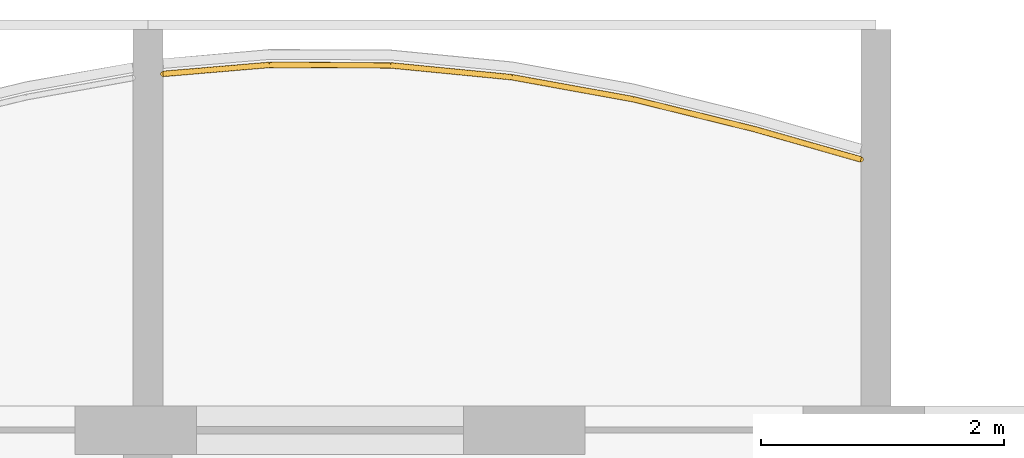
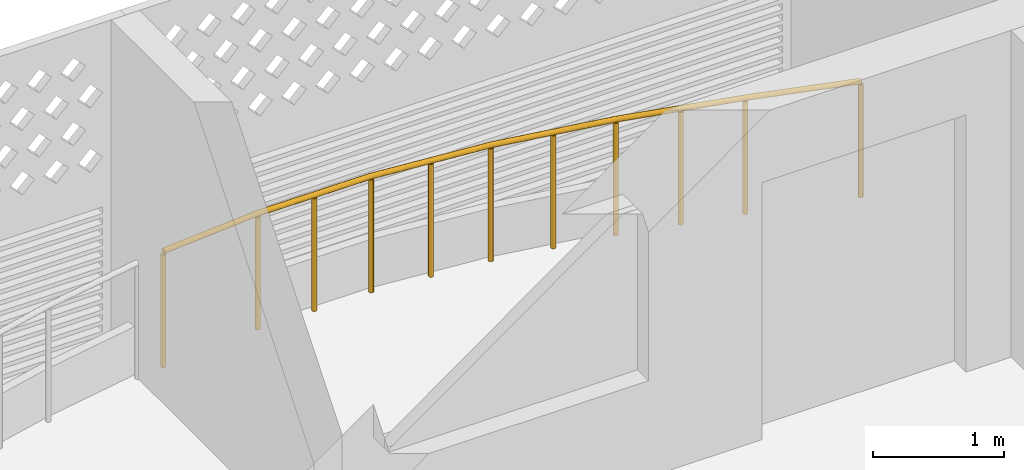
# One storey, part 23 of 39: 1 railing.
"""IFC4 building model written with IfcOpenShell, lengths in metres."""

import ifcopenshell
import ifcopenshell.guid

model = None  # the IFC model being written
_history = None  # IfcOwnerHistory: only IFC2X3 demands one
_inside = {}  # id of a spatial element -> (the spatial element, [elements in it])
_under = {}  # id of a project, library or spatial element -> (it, [spatial elements below it])
_declared = {}  # id of a project -> (the project, [libraries it declares])
_typed = {}  # id of a type object -> (the type object, [elements of that type])
_made_of = {}  # id of a material, layer set ... -> (it, [elements and type objects made of it])


def new_model(schema):
    """Start an empty IFC model of exactly this schema.

    Asked for "IFC4X3", IfcOpenShell would pick the latest addendum, in which some entities
    have other attributes; the version numbers below select the first issue.
    IFC2X3 requires an IfcOwnerHistory on every rooted entity: one is made here for all.
    """
    global model, _history
    if schema == "IFC4X3":
        model = ifcopenshell.file(schema_version=(4, 3, 0, 0))
    else:
        model = ifcopenshell.file(schema=schema)
    _inside.clear()
    _under.clear()
    _declared.clear()
    _typed.clear()
    _made_of.clear()
    _history = None
    if model.schema == "IFC2X3":
        org = make("IfcOrganization", Name="unknown")
        user = make(
            "IfcPersonAndOrganization",
            ThePerson=make("IfcPerson", FamilyName="unknown"),
            TheOrganization=org,
        )
        app = make(
            "IfcApplication",
            ApplicationDeveloper=org,
            Version="unknown",
            ApplicationFullName="unknown",
            ApplicationIdentifier="unknown",
        )
        _history = make(
            "IfcOwnerHistory",
            OwningUser=user,
            OwningApplication=app,
            ChangeAction="ADDED",
            CreationDate=0,
        )
    return model


def make(cls, **values):
    """One entity of the class cls with the attributes given. An attribute that is None is left unset."""
    return model.create_entity(
        cls, **{name: value for name, value in values.items() if value is not None}
    )


def rooted(cls, **values):
    """An entity with a GlobalId (a new one), such as an element, a storey or a relation."""
    return make(cls, GlobalId=ifcopenshell.guid.new(), OwnerHistory=_history, **values)


def si_unit(unit_type, name, prefix=None):
    """IfcSIUnit, for example si_unit("LENGTHUNIT", "METRE", prefix="MILLI")."""
    return make("IfcSIUnit", UnitType=unit_type, Prefix=prefix, Name=name)


def assignment(units):
    """IfcUnitAssignment: the units of a project."""
    return None if units is None else make("IfcUnitAssignment", Units=units)


def point(xyz):
    """IfcCartesianPoint."""
    return None if xyz is None else make("IfcCartesianPoint", Coordinates=xyz)


def direction(xyz):
    """IfcDirection."""
    return None if xyz is None else make("IfcDirection", DirectionRatios=xyz)


def frame(location, z_axis=None, x_axis=None):
    """IfcAxis2Placement3D, a coordinate frame: its origin and axes. An axis left out is left unset."""
    return make(
        "IfcAxis2Placement3D",
        Location=point(location),
        Axis=direction(z_axis),
        RefDirection=direction(x_axis),
    )


def frame_2d(location, x_axis=None):
    """IfcAxis2Placement2D, a coordinate frame in the plane: its origin and x axis."""
    return make(
        "IfcAxis2Placement2D", Location=point(location), RefDirection=direction(x_axis)
    )


def origin():
    """The frame at (0, 0, 0) with its axes left unset."""
    return frame((0.0, 0.0, 0.0))


def origin_2d():
    """The frame at (0, 0) in the plane with its x axis left unset."""
    return frame_2d((0.0, 0.0))


def place(relative_to, where):
    """IfcLocalPlacement: puts the frame where relative to a parent placement (None: the world)."""
    return make(
        "IfcLocalPlacement", PlacementRelTo=relative_to, RelativePlacement=where
    )


def context(
    kind, dimensions, precision=None, world=None, true_north=None, identifier=None
):
    """IfcGeometricRepresentationContext, for example the 3D "Model" context."""
    return make(
        "IfcGeometricRepresentationContext",
        ContextIdentifier=identifier,
        ContextType=kind,
        CoordinateSpaceDimension=dimensions,
        Precision=precision,
        WorldCoordinateSystem=world,
        TrueNorth=true_north,
    )


def subcontext(parent, identifier, kind, view, scale=None):
    """IfcGeometricRepresentationSubContext, for example "Body" below "Model"."""
    return make(
        "IfcGeometricRepresentationSubContext",
        ContextIdentifier=identifier,
        ContextType=kind,
        ParentContext=parent,
        TargetScale=scale,
        TargetView=view,
    )


def project(units=None, contexts=None):
    """IfcProject with its units and contexts."""
    return rooted(
        "IfcProject",
        Name="project",
        RepresentationContexts=contexts,
        UnitsInContext=assignment(units),
    )


def spatial(cls, under=None, at=None, **own):
    """A site, building, storey or space (cls), placed at a placement, below another one or the project."""
    s = rooted(cls, ObjectPlacement=at, **own)
    if under is not None:
        _under.setdefault(under.id(), (under, []))[1].append(s)
    return s


def profile(cls, at=None, kind="AREA", **sizes):
    """A parametric profile (cls). Its sizes go by their IFC names, for example OverallWidth=200.0."""
    return make(cls, ProfileType=kind, Position=at, **sizes)


def circle(**sizes):
    """IfcCircleProfileDef."""
    return profile("IfcCircleProfileDef", **sizes)


def extrude(swept, where, along, depth):
    """IfcExtrudedAreaSolid: the profile swept, set in the frame where, extruded along a direction by depth."""
    return make(
        "IfcExtrudedAreaSolid",
        SweptArea=swept,
        Position=where,
        ExtrudedDirection=direction(along),
        Depth=depth,
    )


def shape(context_of_items, identifier, shape_type, items):
    """IfcShapeRepresentation: the items that make up one representation, for example the "Body"."""
    return make(
        "IfcShapeRepresentation",
        ContextOfItems=context_of_items,
        RepresentationIdentifier=identifier,
        RepresentationType=shape_type,
        Items=items,
    )


def material(Name=None, Category=None):
    """IfcMaterial."""
    return make("IfcMaterial", Name=Name, Category=Category)


def made_of(thing, what):
    """Note that an element or type object is made of a material, layer set ...; save() writes the relation."""
    if what is not None:
        _made_of.setdefault(what.id(), (what, []))[1].append(thing)
    return thing


def type_object(cls, material=None, **own):
    """A type object (cls), such as IfcWallType, which elements share."""
    return made_of(rooted(cls, **own), material)


def element(
    cls,
    number,
    at=None,
    inside=None,
    cuts=None,
    type_object=None,
    material=None,
    context=None,
    identifier="Body",
    shape_type=None,
    held_by="IfcProductDefinitionShape",
    body=None,
    shapes=None,
    **own,
):
    """One element of the class cls, such as IfcWall. Its Tag is "e" and its number.

    at: its placement. inside: the storey or other place that contains it. cuts: it is an
    opening in that element (IfcRelVoidsElement). A single representation is given by context,
    identifier, shape_type and body (its items); several are given by shapes. held_by: the class
    of the entity that holds the representations. save() writes the other relations.
    """
    e = rooted(cls, Tag="e%d" % number, ObjectPlacement=at, **own)
    if body is not None:
        shapes = [shape(context, identifier, shape_type, body)]
    if shapes is not None:
        e.Representation = make(held_by, Representations=shapes)
    if inside is not None:
        _inside.setdefault(inside.id(), (inside, []))[1].append(e)
    if cuts is not None:
        rooted(
            "IfcRelVoidsElement", RelatingBuildingElement=cuts, RelatedOpeningElement=e
        )
    if type_object is not None:
        _typed.setdefault(type_object.id(), (type_object, []))[1].append(e)
    return made_of(e, material)


def aggregate(whole, parts):
    """IfcRelAggregates: a whole, such as a stair, and the parts it consists of."""
    return rooted("IfcRelAggregates", RelatingObject=whole, RelatedObjects=parts)


def save(model, path):
    """Write the relations noted so far, then the file.

    IfcRelAggregates (storeys below a building ...), IfcRelContainedInSpatialStructure (elements
    in a storey), IfcRelDefinesByType, IfcRelAssociatesMaterial and IfcRelDeclares: one each for
    every whole, place, type object, material and project.
    """
    for whole, parts in _under.values():
        aggregate(whole, parts)
    for where, things in _inside.values():
        rooted(
            "IfcRelContainedInSpatialStructure",
            RelatedElements=things,
            RelatingStructure=where,
        )
    for kind, things in _typed.values():
        rooted("IfcRelDefinesByType", RelatedObjects=things, RelatingType=kind)
    for what, things in _made_of.values():
        rooted("IfcRelAssociatesMaterial", RelatedObjects=things, RelatingMaterial=what)
    for by, libraries in _declared.values():
        rooted("IfcRelDeclares", RelatingContext=by, RelatedDefinitions=libraries)
    model.write(path)


model = new_model("IFC4")

# Units and contexts
model_context = context("Model", 3, precision=1e-05, world=origin(), true_north=direction((0.0, 1.0)))
body_context = subcontext(model_context, "Body", "Model", "MODEL_VIEW")
ifc_project = project(units=[si_unit("LENGTHUNIT", "METRE"), si_unit("AREAUNIT", "SQUARE_METRE"), si_unit("VOLUMEUNIT", "CUBIC_METRE"), si_unit("PLANEANGLEUNIT", "RADIAN"), si_unit("MASSUNIT", "GRAM", prefix="KILO")], contexts=[model_context])

# Site, building, storey
site_placement = place(None, origin())
site = spatial("IfcSite", under=ifc_project, at=site_placement, CompositionType="ELEMENT")
building_placement = place(site_placement, origin())
building = spatial("IfcBuilding", under=site, at=building_placement, Name="Poui Terraces", CompositionType="ELEMENT")
storey_placement = place(building_placement, frame((0.0, 0.0, 56.39990234375)))
storey = spatial("IfcBuildingStorey", under=building, at=storey_placement, Name="L15", CompositionType="ELEMENT", Elevation=56.39990234375)

# Railing
ifc_material = material(Name="Painted steel fretwork", Category="steel")
railing_type = type_object("IfcRailingType", Name="BALCONY GUARD 1100", PredefinedType="GUARDRAIL", material=ifc_material)
railing_placement = place(storey_placement, frame((24.125, 47.73583984375, 0.0)))
element("IfcRailing", 1, at=railing_placement, inside=storey, type_object=railing_type, Name="BALCONY GUARD", PredefinedType="GUARDRAIL", context=body_context, shape_type="SweptSolid", body=[
    extrude(circle(Radius=0.02392578125, at=origin_2d()), frame((0.0, 0.0, 1.076171875), z_axis=(0.996445334102, 0.08424189069, 0.0), x_axis=(-0.08424189069, 0.996445334102, 0.0)), (0.0, 0.0, 1.0), 0.878173828125),
    extrude(circle(Radius=0.02392578125, at=origin_2d()), frame((0.875, 0.073974609375, 1.076171875), z_axis=(0.999992370693, -0.003906220198, 0.0), x_axis=(0.003906220198, 0.999992370693, 0.0)), (0.0, 0.0, 1.0), 1.0),
    extrude(circle(Radius=0.02392578125, at=origin_2d()), frame((1.875, 0.070068359375, 1.076171875), z_axis=(0.995265465661, -0.097193893131, 0.0), x_axis=(0.097193893131, 0.995265465661, 0.0)), (0.0, 0.0, 1.0), 1.004638671875),
    extrude(circle(Radius=0.02392578125, at=origin_2d()), frame((2.875, -0.027587890625, 1.076171875), z_axis=(0.983942855126, -0.178483774746, 0.0), x_axis=(0.178483774746, 0.983942855126, 0.0)), (0.0, 0.0, 1.0), 1.016357421875),
    extrude(circle(Radius=0.02392578125, at=origin_2d()), frame((3.875, -0.208984375, 1.076171875), z_axis=(0.970918311966, -0.239411009542, 0.0), x_axis=(0.239411009542, 0.970918311966, 0.0)), (0.0, 0.0, 1.0), 1.030029296875),
    extrude(circle(Radius=0.02392578125, at=origin_2d()), frame((4.875, -0.45556640625, 1.076171875), z_axis=(0.961736307653, -0.273976777376, 0.0), x_axis=(0.273976777376, 0.961736307653, 0.0)), (0.0, 0.0, 1.0), 0.909912109375),
    extrude(circle(Radius=0.02099609375, at=origin_2d()), origin(), (0.0, 0.0, 1.0), 1.052001953125),
    extrude(circle(Radius=0.02099609375, at=origin_2d()), frame((0.875, 0.073974609375, 0.0)), (0.0, 0.0, 1.0), 1.052001953125),
    extrude(circle(Radius=0.02099609375, at=origin_2d()), frame((1.375, 0.072021484375, 0.0)), (0.0, 0.0, 1.0), 1.052001953125),
    extrude(circle(Radius=0.02099609375, at=origin_2d()), frame((1.875, 0.070068359375, 0.0)), (0.0, 0.0, 1.0), 1.052001953125),
    extrude(circle(Radius=0.02099609375, at=origin_2d()), frame((2.375, 0.021240234375, 0.0)), (0.0, 0.0, 1.0), 1.052001953125),
    extrude(circle(Radius=0.02099609375, at=origin_2d()), frame((2.875, -0.027587890625, 0.0)), (0.0, 0.0, 1.0), 1.052001953125),
    extrude(circle(Radius=0.02099609375, at=origin_2d()), frame((3.375, -0.1181640625, 0.0)), (0.0, 0.0, 1.0), 1.052001953125),
    extrude(circle(Radius=0.02099609375, at=origin_2d()), frame((3.875, -0.208984375, 0.0)), (0.0, 0.0, 1.0), 1.052001953125),
    extrude(circle(Radius=0.02099609375, at=origin_2d()), frame((4.375, -0.332275390625, 0.0)), (0.0, 0.0, 1.0), 1.052001953125),
    extrude(circle(Radius=0.02099609375, at=origin_2d()), frame((4.875, -0.45556640625, 0.0)), (0.0, 0.0, 1.0), 1.052001953125),
    extrude(circle(Radius=0.02099609375, at=origin_2d()), frame((5.75, -0.704833984375, 0.0)), (0.0, 0.0, 1.0), 1.052001953125),
])

save(model, "model.ifc")
